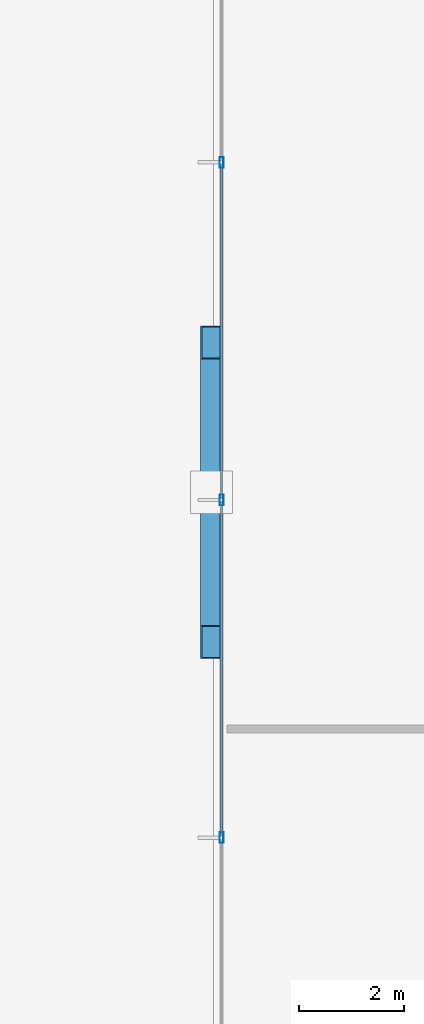
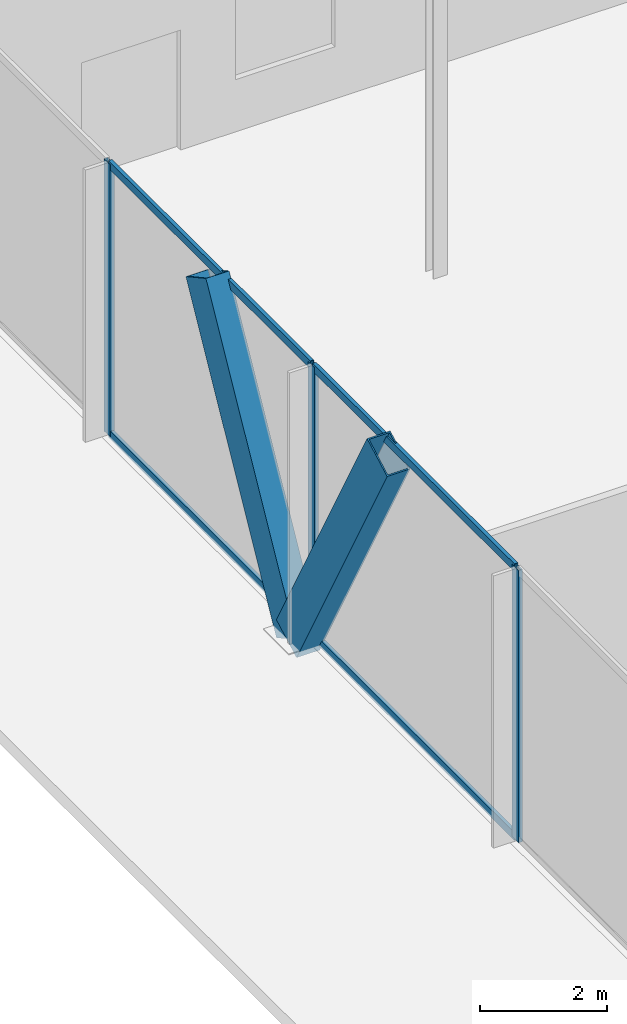
# One storey, part 18 of 38: 9 members, 1 element without a shape of its own.
"""IFC4 building model written with IfcOpenShell, lengths in metres."""

from ifc_helpers import new_model, si_unit, direction, frame, origin, origin_2d, place, context, subcontext, project, spatial, hollow_rectangle, extrude, material, layer, layer_set, material_profile, profile_set, type_object, element, aggregate, save


model = new_model("IFC4")

# Units and contexts
model_context = context("Model", 3, precision=1e-05, world=origin(), true_north=direction((0.0, 1.0)))
body_context = subcontext(model_context, "Body", "Model", "MODEL_VIEW")
ifc_project = project(units=[si_unit("LENGTHUNIT", "METRE"), si_unit("AREAUNIT", "SQUARE_METRE"), si_unit("VOLUMEUNIT", "CUBIC_METRE"), si_unit("PLANEANGLEUNIT", "RADIAN"), si_unit("MASSUNIT", "GRAM", prefix="KILO")], contexts=[model_context])

# Site, building, storey
site_placement = place(None, origin())
site = spatial("IfcSite", under=ifc_project, at=site_placement, CompositionType="ELEMENT")
building_placement = place(site_placement, origin())
building = spatial("IfcBuilding", under=site, at=building_placement, Name="Orvanel Arch Residences", CompositionType="ELEMENT")
storey_placement = place(building_placement, origin())
storey = spatial("IfcBuildingStorey", under=building, at=storey_placement, Name="L00", CompositionType="ELEMENT", Elevation=0.0)

# Members
ifc_material_1 = material(Name="Structural steel AS/NZS 3678 Grade 350", Category="steel")
ifc_material_profile_1 = material_profile(ifc_material_1, hollow_rectangle(XDim=0.419921875, YDim=0.719970703125, WallThickness=0.02490234375, at=origin_2d()), Name="RHS720x420x25")
ifc_profile_set_1 = profile_set([ifc_material_profile_1], Name="Structural steel AS/NZS 3678 Grade 350")
member_type_1 = type_object("IfcMemberType", Name="BR-720RHS-EXT", PredefinedType="BRACE", material=ifc_profile_set_1)
for number, where, z_axis, x_axis, name in (
    (1, (1.360107421875, 40.5, 0.0), (0.0, -0.48010111861, 0.877213153065), (1.0, 0.0, 0.0), "L00 Podium Multi-Storey V-Strut Pair W2 Leg 1"),
    (2, (1.360107421875, 40.5, 0.0), (0.0, 0.48010111861, 0.877213153065), (-1.0, 0.0, 0.0), "L00 Podium Multi-Storey V-Strut Pair W2 Leg 2"),
):
    element("IfcMember", number, at=place(storey_placement, frame(where, z_axis=z_axis, x_axis=x_axis)), inside=storey, type_object=member_type_1, Name=name, PredefinedType="BRACE", context=body_context, shape_type="SweptSolid", body=[
        extrude(hollow_rectangle(XDim=0.419921875, YDim=0.719970703125, WallThickness=0.02490234375, at=origin_2d()), origin(), (0.0, 0.0, 1.0), 5.927734375),
    ])

# Curtain wall, members
ifc_material_2 = material(Name="Bronze-anodised aluminium AA6063-T6", Category="aluminium")
ifc_layer = layer(ifc_material_2, 0.199951171875)
ifc_layer_set = layer_set([ifc_layer], Name="Bronze-anodised aluminium AA6063-T6")
curtain_wall_type = type_object("IfcCurtainWallType", Name="CW1-POD-SYS", PredefinedType="NOTDEFINED", material=ifc_layer_set)
curtain_wall_placement = place(storey_placement, origin())
curtain_wall = element("IfcCurtainWall", 3, at=curtain_wall_placement, inside=storey, type_object=curtain_wall_type, Name="L00 CW1-POD-SYS Unitised Curtain Wall", PredefinedType="NOTDEFINED")
ifc_material_profile_2 = material_profile(ifc_material_2, hollow_rectangle(XDim=0.074951171875, YDim=0.199951171875, WallThickness=0.0048828125, at=origin_2d()), Name="ALU200x75x5")
ifc_profile_set_2 = profile_set([ifc_material_profile_2], Name="Bronze-anodised aluminium AA6063-T6")
member_type_2 = type_object("IfcMemberType", Name="MUL-200x75", PredefinedType="MULLION", material=ifc_profile_set_2)
member_1_placement = place(storey_placement, frame((1.550048828125, 46.766357421875, 0.0), z_axis=(0.0, 0.0, 1.0), x_axis=(1.0, 0.0, 0.0)))
member_1 = element("IfcMember", 4, at=member_1_placement, type_object=member_type_2, Name="CW-S1 mullion 2", PredefinedType="MULLION", context=body_context, shape_type="SweptSolid", body=[
    extrude(hollow_rectangle(XDim=0.074951171875, YDim=0.199951171875, WallThickness=0.0048828125, at=origin_2d()), origin(), (0.0, 0.0, 1.0), 5.219970703125),
])
member_2_placement = place(storey_placement, frame((1.550048828125, 40.3525390625, 0.0), z_axis=(0.0, 0.0, 1.0), x_axis=(1.0, 0.0, 0.0)))
member_2 = element("IfcMember", 5, at=member_2_placement, type_object=member_type_2, Name="CW-S1 mullion 3", PredefinedType="MULLION", context=body_context, shape_type="SweptSolid", body=[
    extrude(hollow_rectangle(XDim=0.074951171875, YDim=0.199951171875, WallThickness=0.0048828125, at=origin_2d()), origin(), (0.0, 0.0, 1.0), 5.219970703125),
])
member_3_placement = place(storey_placement, frame((1.550048828125, 33.938720703125, 0.0), z_axis=(0.0, 0.0, 1.0), x_axis=(1.0, 0.0, 0.0)))
member_3 = element("IfcMember", 6, at=member_3_placement, type_object=member_type_2, Name="CW-S1 mullion 4", PredefinedType="MULLION", context=body_context, shape_type="SweptSolid", body=[
    extrude(hollow_rectangle(XDim=0.074951171875, YDim=0.199951171875, WallThickness=0.0048828125, at=origin_2d()), origin(), (0.0, 0.0, 1.0), 5.219970703125),
])
ifc_material_profile_3 = material_profile(ifc_material_2, hollow_rectangle(XDim=0.06494140625, YDim=0.14990234375, WallThickness=0.00390625, at=origin_2d()), Name="ALU150x65x4")
ifc_profile_set_3 = profile_set([ifc_material_profile_3], Name="Bronze-anodised aluminium AA6063-T6")
member_type_3 = type_object("IfcMemberType", Name="TRN-150x65", PredefinedType="USERDEFINED", material=ifc_profile_set_3)
member_4_placement = place(storey_placement, frame((1.550048828125, 46.728759765625, 0.032470703125), z_axis=(0.0, -1.0, 0.0), x_axis=(1.0, 0.0, 0.0)))
member_4 = element("IfcMember", 7, at=member_4_placement, type_object=member_type_3, Name="CW-S1 transom 2.1", ObjectType="TRANSOM", PredefinedType="USERDEFINED", context=body_context, shape_type="SweptSolid", body=[
    extrude(hollow_rectangle(XDim=0.06494140625, YDim=0.14990234375, WallThickness=0.00390625, at=origin_2d()), origin(), (0.0, 0.0, 1.0), 6.3388671875),
])
member_5_placement = place(storey_placement, frame((1.550048828125, 46.728759765625, 5.1875), z_axis=(0.0, -1.0, 0.0), x_axis=(1.0, 0.0, 0.0)))
member_5 = element("IfcMember", 8, at=member_5_placement, type_object=member_type_3, Name="CW-S1 transom 2.2", ObjectType="TRANSOM", PredefinedType="USERDEFINED", context=body_context, shape_type="SweptSolid", body=[
    extrude(hollow_rectangle(XDim=0.06494140625, YDim=0.14990234375, WallThickness=0.00390625, at=origin_2d()), origin(), (0.0, 0.0, 1.0), 6.3388671875),
])
member_6_placement = place(storey_placement, frame((1.550048828125, 40.31494140625, 0.032470703125), z_axis=(0.0, -1.0, 0.0), x_axis=(1.0, 0.0, 0.0)))
member_6 = element("IfcMember", 9, at=member_6_placement, type_object=member_type_3, Name="CW-S1 transom 3.1", ObjectType="TRANSOM", PredefinedType="USERDEFINED", context=body_context, shape_type="SweptSolid", body=[
    extrude(hollow_rectangle(XDim=0.06494140625, YDim=0.14990234375, WallThickness=0.00390625, at=origin_2d()), origin(), (0.0, 0.0, 1.0), 6.338623046875),
])
member_7_placement = place(storey_placement, frame((1.550048828125, 40.31494140625, 5.1875), z_axis=(0.0, -1.0, 0.0), x_axis=(1.0, 0.0, 0.0)))
member_7 = element("IfcMember", 10, at=member_7_placement, type_object=member_type_3, Name="CW-S1 transom 3.2", ObjectType="TRANSOM", PredefinedType="USERDEFINED", context=body_context, shape_type="SweptSolid", body=[
    extrude(hollow_rectangle(XDim=0.06494140625, YDim=0.14990234375, WallThickness=0.00390625, at=origin_2d()), origin(), (0.0, 0.0, 1.0), 6.338623046875),
])
aggregate(curtain_wall, [member_1, member_2, member_3, member_4, member_5, member_6, member_7])

save(model, "model.ifc")
